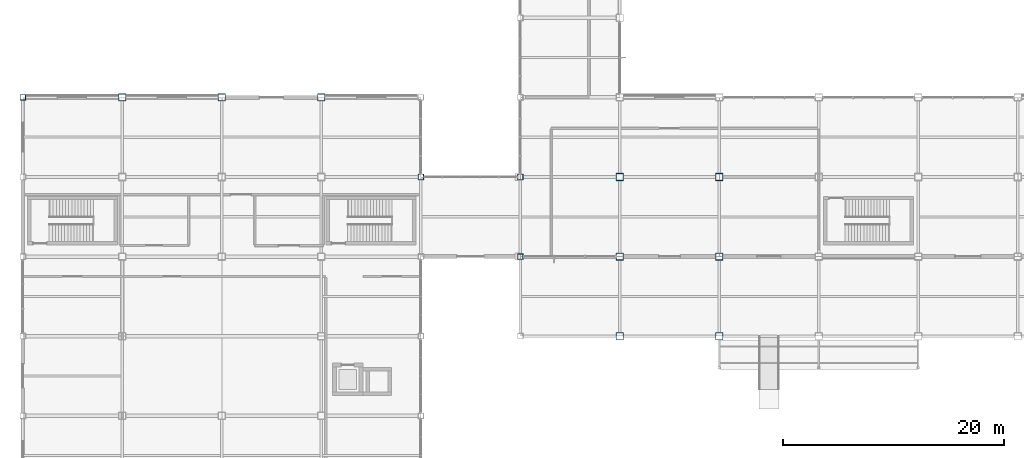
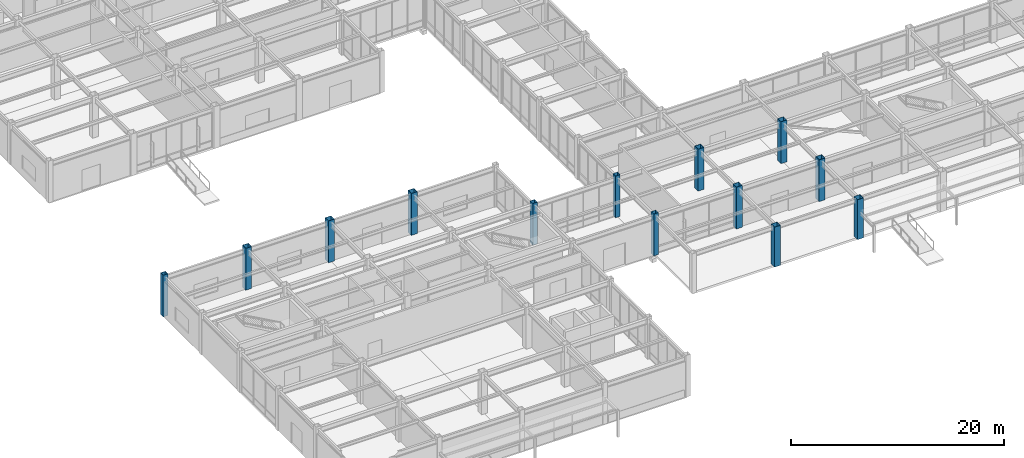
# One storey, part 4 of 112: 13 columns.
"""IFC4 building model written with IfcOpenShell, lengths in metres."""

from ifc_helpers import new_model, si_unit, direction, frame, origin, origin_2d, place, context, subcontext, project, spatial, hollow_rectangle, extrude, material, material_profile, profile_set, type_object, element, save


model = new_model("IFC4")

# Units and contexts
model_context = context("Model", 3, precision=1e-05, world=origin(), true_north=direction((0.0, 1.0)))
body_context = subcontext(model_context, "Body", "Model", "MODEL_VIEW")
ifc_project = project(units=[si_unit("LENGTHUNIT", "METRE"), si_unit("AREAUNIT", "SQUARE_METRE"), si_unit("VOLUMEUNIT", "CUBIC_METRE"), si_unit("PLANEANGLEUNIT", "RADIAN"), si_unit("MASSUNIT", "GRAM", prefix="KILO")], contexts=[model_context])

# Site, building, storey
site_placement = place(None, origin())
site = spatial("IfcSite", under=ifc_project, at=site_placement, CompositionType="ELEMENT")
building_placement = place(site_placement, origin())
building = spatial("IfcBuilding", under=site, at=building_placement, Name="Kazanami Central Library", CompositionType="ELEMENT")
storey_placement = place(building_placement, origin())
storey = spatial("IfcBuildingStorey", under=building, at=storey_placement, Name="L01", CompositionType="ELEMENT", Elevation=0.0)

# Columns
ifc_material = material(Name="Steel BCP325 (325 MPa)", Category="steel")
ifc_material_profile_1 = material_profile(ifc_material, hollow_rectangle(XDim=0.5, YDim=0.5, WallThickness=0.02197265625, at=origin_2d()), Name="BCP-500x500x22")
ifc_profile_set_1 = profile_set([ifc_material_profile_1], Name="Steel BCP325 (325 MPa)")
column_type_1 = type_object("IfcColumnType", Name="COL-C-P1E", PredefinedType="COLUMN", material=ifc_profile_set_1)
for number, where, z_axis, x_axis, name in (
    (1, (0.0, 36.0, 0.0), (0.0, 0.0, 1.0), (1.0, 0.0, 0.0), "Column C-P1E L01 1/F"),
    (2, (36.0, 28.800048828125, 0.0), (0.0, 0.0, 1.0), (1.0, 0.0, 0.0), "Column C-P1E L01 5/E"),
    (3, (45.0, 21.60009765625, 0.0), (0.0, 0.0, 1.0), (1.0, 0.0, 0.0), "Column C-P1E L01 6/D"),
    (4, (45.0, 28.800048828125, 0.0), (0.0, 0.0, 1.0), (1.0, 0.0, 0.0), "Column C-P1E L01 6/E"),
):
    element("IfcColumn", number, at=place(storey_placement, frame(where, z_axis=z_axis, x_axis=x_axis)), inside=storey, type_object=column_type_1, Name=name, PredefinedType="COLUMN", context=body_context, shape_type="SweptSolid", body=[
        extrude(hollow_rectangle(XDim=0.5, YDim=0.5, WallThickness=0.02197265625, at=origin_2d()), origin(), (0.0, 0.0, 1.0), 4.800048828125),
    ])
ifc_material_profile_2 = material_profile(ifc_material, hollow_rectangle(XDim=0.64990234375, YDim=0.64990234375, WallThickness=0.02490234375, at=origin_2d()), Name="BCP-650x650x25")
ifc_profile_set_2 = profile_set([ifc_material_profile_2], Name="Steel BCP325 (325 MPa)")
column_type_2 = type_object("IfcColumnType", Name="COL-C-P1I", PredefinedType="COLUMN", material=ifc_profile_set_2)
for number, where, z_axis, x_axis, name in (
    (5, (9.0, 36.0, 0.0), (0.0, 0.0, 1.0), (1.0, 0.0, 0.0), "Column C-P1I L01 2/F"),
    (6, (18.0, 36.0, 0.0), (0.0, 0.0, 1.0), (1.0, 0.0, 0.0), "Column C-P1I L01 3/F"),
    (7, (27.0, 36.0, 0.0), (0.0, 0.0, 1.0), (1.0, 0.0, 0.0), "Column C-P1I L01 4/F"),
):
    element("IfcColumn", number, at=place(storey_placement, frame(where, z_axis=z_axis, x_axis=x_axis)), inside=storey, type_object=column_type_2, Name=name, PredefinedType="COLUMN", context=body_context, shape_type="SweptSolid", body=[
        extrude(hollow_rectangle(XDim=0.64990234375, YDim=0.64990234375, WallThickness=0.02490234375, at=origin_2d()), origin(), (0.0, 0.0, 1.0), 4.800048828125),
    ])
column_1_placement = place(storey_placement, frame((54.0, 14.39990234375, 0.0), z_axis=(0.0, 0.0, 1.0), x_axis=(1.0, 0.0, 0.0)))
element("IfcColumn", 8, at=column_1_placement, inside=storey, type_object=column_type_2, Name="Column C-P1I L01 7/C", PredefinedType="COLUMN", context=body_context, shape_type="SweptSolid", body=[
    extrude(hollow_rectangle(XDim=0.64990234375, YDim=0.64990234375, WallThickness=0.02490234375, at=origin_2d()), origin(), (0.0, 0.0, 1.0), 4.580078125),
])
for number, where, z_axis, x_axis, name in (
    (9, (54.0, 21.60009765625, 0.0), (0.0, 0.0, 1.0), (1.0, 0.0, 0.0), "Column C-P1I L01 7/D"),
    (10, (54.0, 28.800048828125, 0.0), (0.0, 0.0, 1.0), (1.0, 0.0, 0.0), "Column C-P1I L01 7/E"),
):
    element("IfcColumn", number, at=place(storey_placement, frame(where, z_axis=z_axis, x_axis=x_axis)), inside=storey, type_object=column_type_2, Name=name, PredefinedType="COLUMN", context=body_context, shape_type="SweptSolid", body=[
        extrude(hollow_rectangle(XDim=0.64990234375, YDim=0.64990234375, WallThickness=0.02490234375, at=origin_2d()), origin(), (0.0, 0.0, 1.0), 4.800048828125),
    ])
column_2_placement = place(storey_placement, frame((63.0, 14.39990234375, 0.0), z_axis=(0.0, 0.0, 1.0), x_axis=(1.0, 0.0, 0.0)))
element("IfcColumn", 11, at=column_2_placement, inside=storey, type_object=column_type_2, Name="Column C-P1I L01 8/C", PredefinedType="COLUMN", context=body_context, shape_type="SweptSolid", body=[
    extrude(hollow_rectangle(XDim=0.64990234375, YDim=0.64990234375, WallThickness=0.02490234375, at=origin_2d()), origin(), (0.0, 0.0, 1.0), 4.580078125),
])
for number, where, z_axis, x_axis, name in (
    (12, (63.0, 21.60009765625, 0.0), (0.0, 0.0, 1.0), (1.0, 0.0, 0.0), "Column C-P1I L01 8/D"),
    (13, (63.0, 28.800048828125, 0.0), (0.0, 0.0, 1.0), (1.0, 0.0, 0.0), "Column C-P1I L01 8/E"),
):
    element("IfcColumn", number, at=place(storey_placement, frame(where, z_axis=z_axis, x_axis=x_axis)), inside=storey, type_object=column_type_2, Name=name, PredefinedType="COLUMN", context=body_context, shape_type="SweptSolid", body=[
        extrude(hollow_rectangle(XDim=0.64990234375, YDim=0.64990234375, WallThickness=0.02490234375, at=origin_2d()), origin(), (0.0, 0.0, 1.0), 4.800048828125),
    ])

save(model, "model.ifc")
